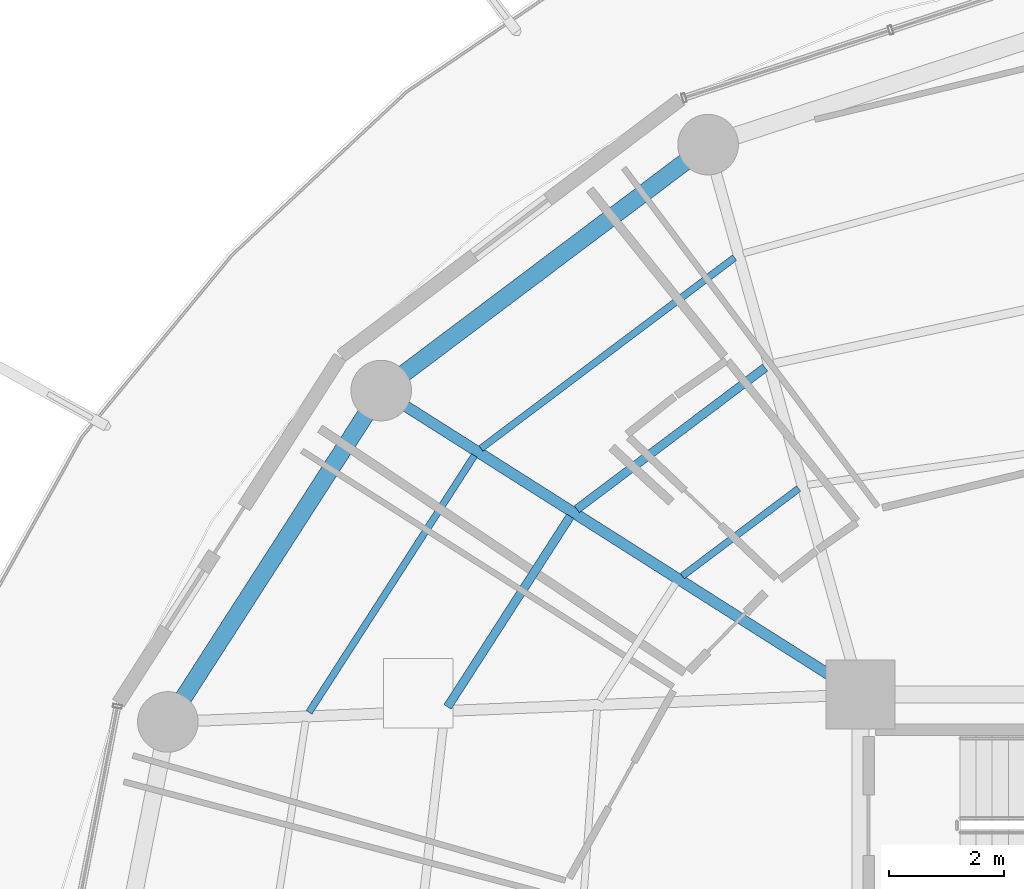
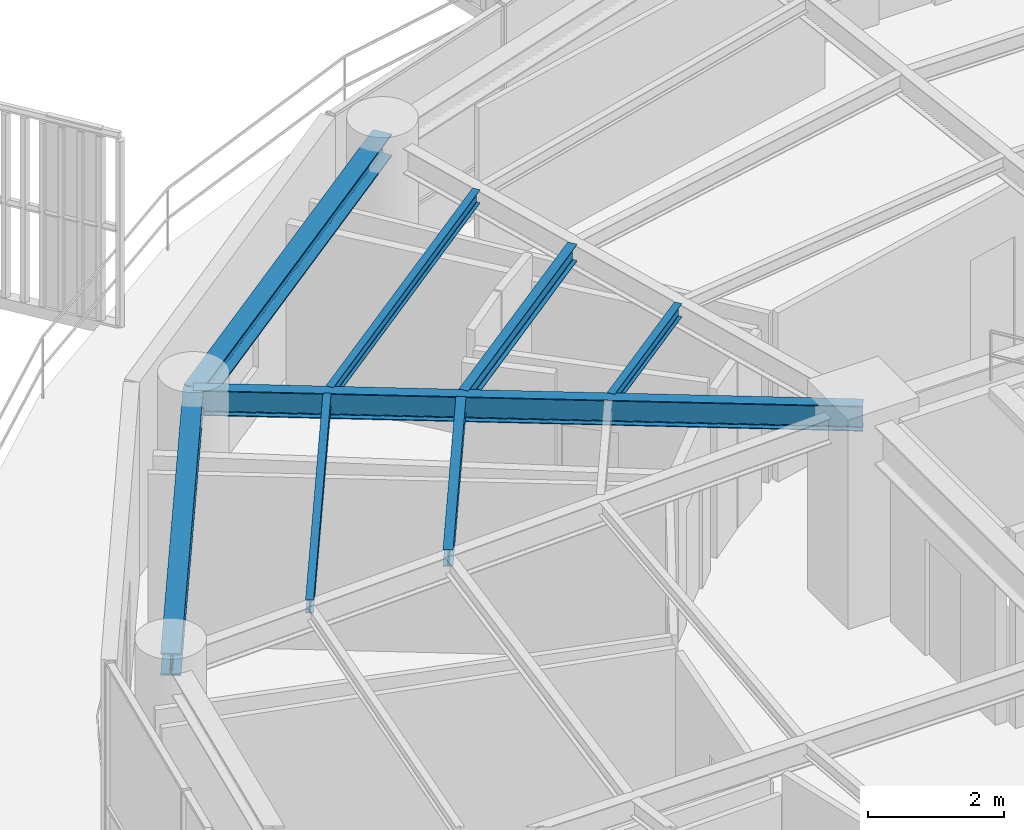
# One storey, part 16 of 30: 8 beams.
"""IFC4 building model written with IfcOpenShell, lengths in metres."""

import ifcopenshell
import ifcopenshell.guid

model = None  # the IFC model being written
_history = None  # IfcOwnerHistory: only IFC2X3 demands one
_inside = {}  # id of a spatial element -> (the spatial element, [elements in it])
_under = {}  # id of a project, library or spatial element -> (it, [spatial elements below it])
_declared = {}  # id of a project -> (the project, [libraries it declares])
_typed = {}  # id of a type object -> (the type object, [elements of that type])
_made_of = {}  # id of a material, layer set ... -> (it, [elements and type objects made of it])


def new_model(schema):
    """Start an empty IFC model of exactly this schema.

    Asked for "IFC4X3", IfcOpenShell would pick the latest addendum, in which some entities
    have other attributes; the version numbers below select the first issue.
    IFC2X3 requires an IfcOwnerHistory on every rooted entity: one is made here for all.
    """
    global model, _history
    if schema == "IFC4X3":
        model = ifcopenshell.file(schema_version=(4, 3, 0, 0))
    else:
        model = ifcopenshell.file(schema=schema)
    _inside.clear()
    _under.clear()
    _declared.clear()
    _typed.clear()
    _made_of.clear()
    _history = None
    if model.schema == "IFC2X3":
        org = make("IfcOrganization", Name="unknown")
        user = make(
            "IfcPersonAndOrganization",
            ThePerson=make("IfcPerson", FamilyName="unknown"),
            TheOrganization=org,
        )
        app = make(
            "IfcApplication",
            ApplicationDeveloper=org,
            Version="unknown",
            ApplicationFullName="unknown",
            ApplicationIdentifier="unknown",
        )
        _history = make(
            "IfcOwnerHistory",
            OwningUser=user,
            OwningApplication=app,
            ChangeAction="ADDED",
            CreationDate=0,
        )
    return model


def make(cls, **values):
    """One entity of the class cls with the attributes given. An attribute that is None is left unset."""
    return model.create_entity(
        cls, **{name: value for name, value in values.items() if value is not None}
    )


def rooted(cls, **values):
    """An entity with a GlobalId (a new one), such as an element, a storey or a relation."""
    return make(cls, GlobalId=ifcopenshell.guid.new(), OwnerHistory=_history, **values)


def si_unit(unit_type, name, prefix=None):
    """IfcSIUnit, for example si_unit("LENGTHUNIT", "METRE", prefix="MILLI")."""
    return make("IfcSIUnit", UnitType=unit_type, Prefix=prefix, Name=name)


def assignment(units):
    """IfcUnitAssignment: the units of a project."""
    return None if units is None else make("IfcUnitAssignment", Units=units)


def point(xyz):
    """IfcCartesianPoint."""
    return None if xyz is None else make("IfcCartesianPoint", Coordinates=xyz)


def direction(xyz):
    """IfcDirection."""
    return None if xyz is None else make("IfcDirection", DirectionRatios=xyz)


def frame(location, z_axis=None, x_axis=None):
    """IfcAxis2Placement3D, a coordinate frame: its origin and axes. An axis left out is left unset."""
    return make(
        "IfcAxis2Placement3D",
        Location=point(location),
        Axis=direction(z_axis),
        RefDirection=direction(x_axis),
    )


def frame_2d(location, x_axis=None):
    """IfcAxis2Placement2D, a coordinate frame in the plane: its origin and x axis."""
    return make(
        "IfcAxis2Placement2D", Location=point(location), RefDirection=direction(x_axis)
    )


def origin():
    """The frame at (0, 0, 0) with its axes left unset."""
    return frame((0.0, 0.0, 0.0))


def origin_2d():
    """The frame at (0, 0) in the plane with its x axis left unset."""
    return frame_2d((0.0, 0.0))


def place(relative_to, where):
    """IfcLocalPlacement: puts the frame where relative to a parent placement (None: the world)."""
    return make(
        "IfcLocalPlacement", PlacementRelTo=relative_to, RelativePlacement=where
    )


def context(
    kind, dimensions, precision=None, world=None, true_north=None, identifier=None
):
    """IfcGeometricRepresentationContext, for example the 3D "Model" context."""
    return make(
        "IfcGeometricRepresentationContext",
        ContextIdentifier=identifier,
        ContextType=kind,
        CoordinateSpaceDimension=dimensions,
        Precision=precision,
        WorldCoordinateSystem=world,
        TrueNorth=true_north,
    )


def subcontext(parent, identifier, kind, view, scale=None):
    """IfcGeometricRepresentationSubContext, for example "Body" below "Model"."""
    return make(
        "IfcGeometricRepresentationSubContext",
        ContextIdentifier=identifier,
        ContextType=kind,
        ParentContext=parent,
        TargetScale=scale,
        TargetView=view,
    )


def project(units=None, contexts=None):
    """IfcProject with its units and contexts."""
    return rooted(
        "IfcProject",
        Name="project",
        RepresentationContexts=contexts,
        UnitsInContext=assignment(units),
    )


def spatial(cls, under=None, at=None, **own):
    """A site, building, storey or space (cls), placed at a placement, below another one or the project."""
    s = rooted(cls, ObjectPlacement=at, **own)
    if under is not None:
        _under.setdefault(under.id(), (under, []))[1].append(s)
    return s


def profile(cls, at=None, kind="AREA", **sizes):
    """A parametric profile (cls). Its sizes go by their IFC names, for example OverallWidth=200.0."""
    return make(cls, ProfileType=kind, Position=at, **sizes)


def i_section(**sizes):
    """IfcIShapeProfileDef."""
    return profile("IfcIShapeProfileDef", **sizes)


def extrude(swept, where, along, depth):
    """IfcExtrudedAreaSolid: the profile swept, set in the frame where, extruded along a direction by depth."""
    return make(
        "IfcExtrudedAreaSolid",
        SweptArea=swept,
        Position=where,
        ExtrudedDirection=direction(along),
        Depth=depth,
    )


def shape(context_of_items, identifier, shape_type, items):
    """IfcShapeRepresentation: the items that make up one representation, for example the "Body"."""
    return make(
        "IfcShapeRepresentation",
        ContextOfItems=context_of_items,
        RepresentationIdentifier=identifier,
        RepresentationType=shape_type,
        Items=items,
    )


def material(Name=None, Category=None):
    """IfcMaterial."""
    return make("IfcMaterial", Name=Name, Category=Category)


def material_profile(
    of_material, cross_section, Name=None, Category=None, Priority=None
):
    """IfcMaterialProfile: a cross section and its material."""
    return make(
        "IfcMaterialProfile",
        Name=Name,
        Material=of_material,
        Profile=cross_section,
        Priority=Priority,
        Category=Category,
    )


def profile_set(profiles, Name=None, composite=None):
    """IfcMaterialProfileSet."""
    return make(
        "IfcMaterialProfileSet",
        Name=Name,
        MaterialProfiles=profiles,
        CompositeProfile=composite,
    )


def made_of(thing, what):
    """Note that an element or type object is made of a material, layer set ...; save() writes the relation."""
    if what is not None:
        _made_of.setdefault(what.id(), (what, []))[1].append(thing)
    return thing


def type_object(cls, material=None, **own):
    """A type object (cls), such as IfcWallType, which elements share."""
    return made_of(rooted(cls, **own), material)


def element(
    cls,
    number,
    at=None,
    inside=None,
    cuts=None,
    type_object=None,
    material=None,
    context=None,
    identifier="Body",
    shape_type=None,
    held_by="IfcProductDefinitionShape",
    body=None,
    shapes=None,
    **own,
):
    """One element of the class cls, such as IfcWall. Its Tag is "e" and its number.

    at: its placement. inside: the storey or other place that contains it. cuts: it is an
    opening in that element (IfcRelVoidsElement). A single representation is given by context,
    identifier, shape_type and body (its items); several are given by shapes. held_by: the class
    of the entity that holds the representations. save() writes the other relations.
    """
    e = rooted(cls, Tag="e%d" % number, ObjectPlacement=at, **own)
    if body is not None:
        shapes = [shape(context, identifier, shape_type, body)]
    if shapes is not None:
        e.Representation = make(held_by, Representations=shapes)
    if inside is not None:
        _inside.setdefault(inside.id(), (inside, []))[1].append(e)
    if cuts is not None:
        rooted(
            "IfcRelVoidsElement", RelatingBuildingElement=cuts, RelatedOpeningElement=e
        )
    if type_object is not None:
        _typed.setdefault(type_object.id(), (type_object, []))[1].append(e)
    return made_of(e, material)


def aggregate(whole, parts):
    """IfcRelAggregates: a whole, such as a stair, and the parts it consists of."""
    return rooted("IfcRelAggregates", RelatingObject=whole, RelatedObjects=parts)


def save(model, path):
    """Write the relations noted so far, then the file.

    IfcRelAggregates (storeys below a building ...), IfcRelContainedInSpatialStructure (elements
    in a storey), IfcRelDefinesByType, IfcRelAssociatesMaterial and IfcRelDeclares: one each for
    every whole, place, type object, material and project.
    """
    for whole, parts in _under.values():
        aggregate(whole, parts)
    for where, things in _inside.values():
        rooted(
            "IfcRelContainedInSpatialStructure",
            RelatedElements=things,
            RelatingStructure=where,
        )
    for kind, things in _typed.values():
        rooted("IfcRelDefinesByType", RelatedObjects=things, RelatingType=kind)
    for what, things in _made_of.values():
        rooted("IfcRelAssociatesMaterial", RelatedObjects=things, RelatingMaterial=what)
    for by, libraries in _declared.values():
        rooted("IfcRelDeclares", RelatingContext=by, RelatedDefinitions=libraries)
    model.write(path)


model = new_model("IFC4")

# Units and contexts
model_context = context("Model", 3, precision=1e-05, world=origin(), true_north=direction((0.0, 1.0)))
body_context = subcontext(model_context, "Body", "Model", "MODEL_VIEW")
ifc_project = project(units=[si_unit("LENGTHUNIT", "METRE"), si_unit("AREAUNIT", "SQUARE_METRE"), si_unit("VOLUMEUNIT", "CUBIC_METRE"), si_unit("PLANEANGLEUNIT", "RADIAN"), si_unit("MASSUNIT", "GRAM", prefix="KILO")], contexts=[model_context])

# Site, building, storey
site_placement = place(None, origin())
site = spatial("IfcSite", under=ifc_project, at=site_placement, CompositionType="ELEMENT")
building_placement = place(site_placement, origin())
building = spatial("IfcBuilding", under=site, at=building_placement, Name="Kelanora Arch Commons", CompositionType="ELEMENT")
storey_placement = place(building_placement, frame((0.0, 0.0, 215.699951171875)))
storey = spatial("IfcBuildingStorey", under=building, at=storey_placement, Name="L55", CompositionType="ELEMENT", Elevation=215.699951171875)

# Beams
ifc_material = material(Name="Steel S355", Category="steel")
ifc_material_profile_1 = material_profile(ifc_material, i_section(OverallWidth=0.14990234375, OverallDepth=0.300048828125, WebThickness=0.007080078125, FlangeThickness=0.0107421875, FilletRadius=0.014892578125, at=origin_2d()), Name="IPE300")
ifc_profile_set_1 = profile_set([ifc_material_profile_1], Name="Steel S355")
beam_type_1 = type_object("IfcBeamType", Name="BM-JST-01", PredefinedType="JOIST", material=ifc_profile_set_1)
beam_1_placement = place(storey_placement, frame((64.34814453125, 70.6630859375, 3.340087890625), z_axis=(-0.799101708656, -0.601195857624, 0.0), x_axis=(0.601195857624, -0.799101708656, 0.0)))
element("IfcBeam", 1, at=beam_1_placement, inside=storey, type_object=beam_type_1, Name="Secondary Chord Joist BJB-12 L55", PredefinedType="JOIST", context=body_context, shape_type="SweptSolid", body=[
    extrude(i_section(OverallWidth=0.14990234375, OverallDepth=0.300048828125, WebThickness=0.007080078125, FlangeThickness=0.0107421875, FilletRadius=0.014892578125, at=origin_2d()), origin(), (0.0, 0.0, 1.0), 4.080810546875),
])
beam_2_placement = place(storey_placement, frame((60.97314453125, 68.087158203125, 3.340087890625), z_axis=(-0.541411265892, -0.840757896879, 0.0), x_axis=(0.840757896879, -0.541411265892, 0.0)))
element("IfcBeam", 2, at=beam_2_placement, inside=storey, type_object=beam_type_1, Name="Secondary Chord Joist BJB-14 L55", PredefinedType="JOIST", context=body_context, shape_type="SweptSolid", body=[
    extrude(i_section(OverallWidth=0.14990234375, OverallDepth=0.300048828125, WebThickness=0.007080078125, FlangeThickness=0.0107421875, FilletRadius=0.014892578125, at=origin_2d()), origin(), (0.0, 0.0, 1.0), 3.92529296875),
])
ifc_material_profile_2 = material_profile(ifc_material, i_section(OverallWidth=0.1201171875, OverallDepth=0.239990234375, WebThickness=0.006103515625, FlangeThickness=0.009765625, FilletRadius=0.014892578125, at=origin_2d()), Name="IPE240")
ifc_profile_set_2 = profile_set([ifc_material_profile_2], Name="Steel S355")
beam_type_2 = type_object("IfcBeamType", Name="BM-JST-02", PredefinedType="JOIST", material=ifc_profile_set_2)
beam_3_placement = place(storey_placement, frame((64.928955078125, 68.56787109375, 3.3701171875), z_axis=(-0.79911638933, -0.601176343766, 0.0), x_axis=(0.601176343766, -0.79911638933, 0.0)))
element("IfcBeam", 3, at=beam_3_placement, inside=storey, type_object=beam_type_2, Name="Secondary Chord Joist BJA-12 L55", PredefinedType="JOIST", context=body_context, shape_type="SweptSolid", body=[
    extrude(i_section(OverallWidth=0.1201171875, OverallDepth=0.239990234375, WebThickness=0.006103515625, FlangeThickness=0.009765625, FilletRadius=0.014892578125, at=origin_2d()), origin(), (0.0, 0.0, 1.0), 2.522216796875),
])
beam_4_placement = place(storey_placement, frame((63.820068359375, 72.56787109375, 3.3701171875), z_axis=(-0.799109197935, -0.601185902842, 0.0), x_axis=(0.601185902842, -0.799109197935, 0.0)))
element("IfcBeam", 4, at=beam_4_placement, inside=storey, type_object=beam_type_2, Name="Secondary Chord Joist BJC-12 L55", PredefinedType="JOIST", context=body_context, shape_type="SweptSolid", body=[
    extrude(i_section(OverallWidth=0.1201171875, OverallDepth=0.239990234375, WebThickness=0.006103515625, FlangeThickness=0.009765625, FilletRadius=0.014892578125, at=origin_2d()), origin(), (0.0, 0.0, 1.0), 5.497802734375),
])
beam_5_placement = place(storey_placement, frame((59.31298828125, 69.14013671875, 3.3701171875), z_axis=(-0.541382492679, -0.840776424872, 0.0), x_axis=(0.840776424872, -0.541382492679, 0.0)))
element("IfcBeam", 5, at=beam_5_placement, inside=storey, type_object=beam_type_2, Name="Secondary Chord Joist BJC-14 L55", PredefinedType="JOIST", context=body_context, shape_type="SweptSolid", body=[
    extrude(i_section(OverallWidth=0.1201171875, OverallDepth=0.239990234375, WebThickness=0.006103515625, FlangeThickness=0.009765625, FilletRadius=0.014892578125, at=origin_2d()), origin(), (0.0, 0.0, 1.0), 5.29052734375),
])
ifc_material_profile_3 = material_profile(ifc_material, i_section(OverallWidth=0.18994140625, OverallDepth=0.449951171875, WebThickness=0.009521484375, FlangeThickness=0.0146484375, FilletRadius=0.02099609375, at=origin_2d()), Name="IPE450")
ifc_profile_set_3 = profile_set([ifc_material_profile_3], Name="Steel S355")
beam_type_3 = type_object("IfcBeamType", Name="BM-RAD-Z4", PredefinedType="BEAM", material=ifc_profile_set_3)
beam_6_placement = place(storey_placement, frame((66.0, 65.0, 3.26513671875), z_axis=(-0.844507208607, 0.535544185489, 0.0), x_axis=(-0.535544185489, -0.844507208607, 0.0)))
element("IfcBeam", 6, at=beam_6_placement, inside=storey, type_object=beam_type_3, Name="Radial Floor Girder BR-14 L55", PredefinedType="BEAM", context=body_context, shape_type="SweptSolid", body=[
    extrude(i_section(OverallWidth=0.18994140625, OverallDepth=0.449951171875, WebThickness=0.009521484375, FlangeThickness=0.0146484375, FilletRadius=0.02099609375, at=origin_2d()), origin(), (0.0, 0.0, 1.0), 9.830078125),
])
ifc_material_profile_4 = material_profile(ifc_material, i_section(OverallWidth=0.300048828125, OverallDepth=0.39990234375, WebThickness=0.013427734375, FlangeThickness=0.02392578125, FilletRadius=0.027099609375, at=origin_2d()), Name="HEB400")
ifc_profile_set_4 = profile_set([ifc_material_profile_4], Name="Steel S355")
beam_type_4 = type_object("IfcBeamType", Name="BM-SPN-Z4", PredefinedType="SPANDREL", material=ifc_profile_set_4)
beam_7_placement = place(storey_placement, frame((63.360107421875, 74.523681640625, 3.2900390625), z_axis=(-0.799114211715, -0.60117923836, 0.0), x_axis=(0.60117923836, -0.799114211715, 0.0)))
element("IfcBeam", 7, at=beam_7_placement, inside=storey, type_object=beam_type_4, Name="Perimeter Spandrel Beam BS-12 L55", PredefinedType="SPANDREL", context=body_context, shape_type="SweptSolid", body=[
    extrude(i_section(OverallWidth=0.300048828125, OverallDepth=0.39990234375, WebThickness=0.013427734375, FlangeThickness=0.02392578125, FilletRadius=0.027099609375, at=origin_2d()), origin(), (0.0, 0.0, 1.0), 7.0849609375),
])
beam_8_placement = place(storey_placement, frame((57.698486328125, 70.264404296875, 3.2900390625), z_axis=(-0.541364878868, -0.840787766281, 0.0), x_axis=(0.840787766281, -0.541364878868, 0.0)))
element("IfcBeam", 8, at=beam_8_placement, inside=storey, type_object=beam_type_4, Name="Perimeter Spandrel Beam BS-14 L55", PredefinedType="SPANDREL", context=body_context, shape_type="SweptSolid", body=[
    extrude(i_section(OverallWidth=0.300048828125, OverallDepth=0.39990234375, WebThickness=0.013427734375, FlangeThickness=0.02392578125, FilletRadius=0.027099609375, at=origin_2d()), origin(), (0.0, 0.0, 1.0), 6.825439453125),
])

save(model, "model.ifc")
